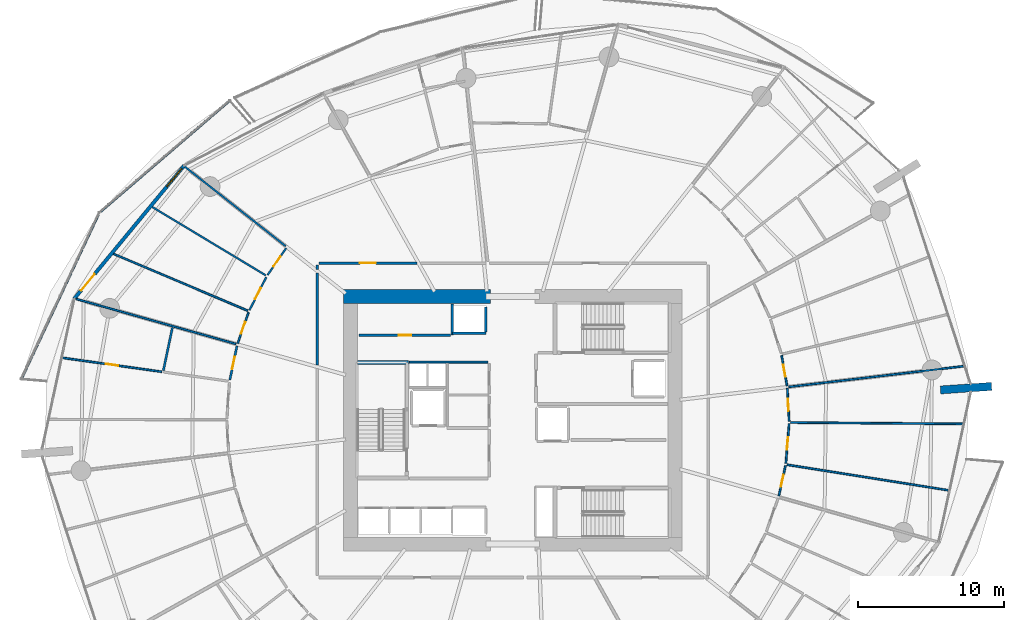
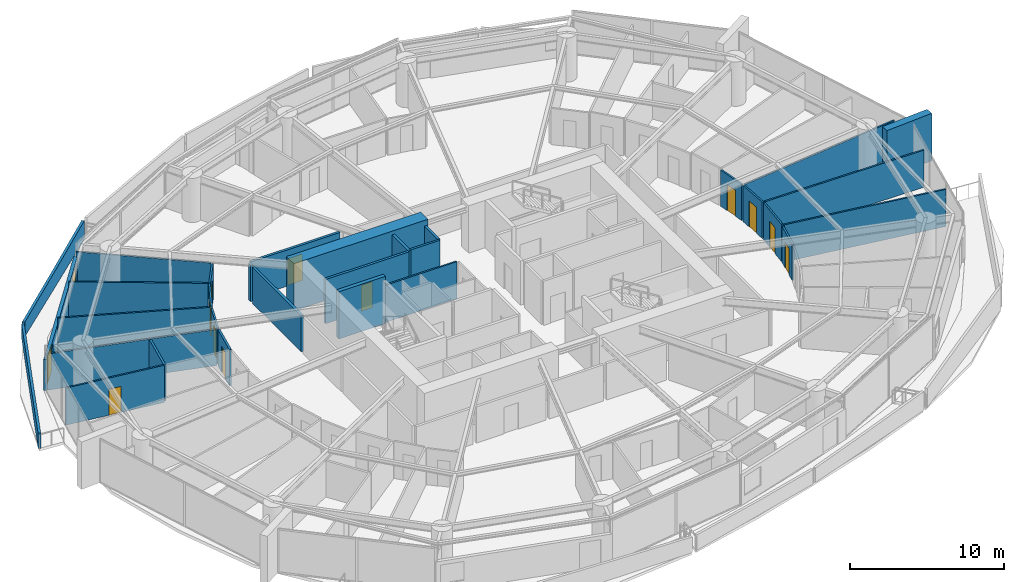
# One storey, part 22 of 31: 31 walls, 12 doors, 1 window, 13 openings.
"""IFC4 building model written with IfcOpenShell, lengths in metres."""

from ifc_helpers import new_model, si_unit, direction, frame, frame_2d, origin, place, context, subcontext, project, spatial, polyline, rectangle, outline, extrude, material, layer, layer_set, type_object, element, fill, save


model = new_model("IFC4")

# Units and contexts
model_context = context("Model", 3, precision=1e-05, world=origin(), true_north=direction((0.0, 1.0)))
body_context = subcontext(model_context, "Body", "Model", "MODEL_VIEW")
ifc_project = project(units=[si_unit("LENGTHUNIT", "METRE"), si_unit("AREAUNIT", "SQUARE_METRE"), si_unit("VOLUMEUNIT", "CUBIC_METRE"), si_unit("PLANEANGLEUNIT", "RADIAN"), si_unit("MASSUNIT", "GRAM", prefix="KILO")], contexts=[model_context])

# Site, building, storey
site_placement = place(None, origin())
site = spatial("IfcSite", under=ifc_project, at=site_placement, CompositionType="ELEMENT")
building_placement = place(site_placement, origin())
building = spatial("IfcBuilding", under=site, at=building_placement, Name="Kazma Halo Residences", CompositionType="ELEMENT")
storey_placement = place(building_placement, frame((0.0, 0.0, 60.14990234375)))
storey = spatial("IfcBuildingStorey", under=building, at=storey_placement, Name="L14", CompositionType="ELEMENT", Elevation=60.14990234375)

# Walls
ifc_material_1 = material(Name="White Concrete C50/60 Balustrade", Category="concrete")
ifc_layer_1 = layer(ifc_material_1, 0.179931640625)
ifc_layer_set_1 = layer_set([ifc_layer_1], Name="White Concrete C50/60 Balustrade")
wall_type_1 = type_object("IfcWallType", Name="WL-BAL-WAVE-180", PredefinedType="PARAPET", material=ifc_layer_set_1)
wall_1_placement = place(storey_placement, frame((29.07958984375, 63.881103515625, 0.0), z_axis=(0.0, 0.0, 1.0), x_axis=(-0.758371329303, -0.651822772609, 0.0)))
element("IfcWall", 1, at=wall_1_placement, inside=storey, type_object=wall_type_1, Name="L14 white wave balustrade wall NW.1", PredefinedType="PARAPET", context=body_context, shape_type="SweptSolid", body=[
    extrude(outline(polyline([(0.0, 0.0), (11.669921875, 0.0), (11.669677734375, 1.148193359375), (5.8349609375, 1.2841796875), (0.0, 1.483154296875), (0.0, 0.0)])), frame((0.0, 0.08984375, 0.0), z_axis=(0.0, -1.0, 0.0), x_axis=(1.0, 0.0, 0.0)), (0.0, 0.0, 1.0), 0.179931640625),
])
wall_2_placement = place(storey_placement, frame((20.087646484375, 56.08740234375, 0.0), z_axis=(0.0, 0.0, 1.0), x_axis=(-0.424187605295, -0.905574334615, 0.0)))
element("IfcWall", 2, at=wall_2_placement, inside=storey, type_object=wall_type_1, Name="L14 white wave balustrade wall NW.2", PredefinedType="PARAPET", context=body_context, shape_type="SweptSolid", body=[
    extrude(outline(polyline([(0.0, 0.0), (12.4462890625, 0.0), (12.4462890625, 1.22412109375), (6.22314453125, 1.127197265625), (0.0, 1.148193359375), (0.0, 0.0)])), frame((0.0, 0.08984375, 0.0), z_axis=(0.0, -1.0, 0.0), x_axis=(1.0, 0.0, 0.0)), (0.0, 0.0, 1.0), 0.179931640625),
])
ifc_material_2 = material(Name="Pale Concrete C60/75", Category="concrete")
ifc_layer_2 = layer(ifc_material_2, 0.550048828125)
ifc_layer_set_2 = layer_set([ifc_layer_2], Name="Pale Concrete C60/75")
wall_type_2 = type_object("IfcWallType", Name="WL-BLADE-550", PredefinedType="SOLIDWALL", material=ifc_layer_set_2)
wall_3_placement = place(storey_placement, frame((77.677978515625, 44.0751953125, 0.0), z_axis=(0.0, 0.0, 1.0), x_axis=(0.997564163539, 0.069754853754, 0.0)))
element("IfcWall", 3, at=wall_3_placement, inside=storey, type_object=wall_type_2, Name="L14 pale concrete structural blade fin wall BW-04", PredefinedType="SOLIDWALL", context=body_context, shape_type="SweptSolid", body=[
    extrude(rectangle(XDim=3.5, YDim=0.550048828125, at=frame_2d((1.75, 0.0))), origin(), (0.0, 0.0, 1.0), 3.75),
])
ifc_material_3 = material(Name="Concrete C80/95", Category="concrete")
ifc_layer_3 = layer(ifc_material_3, 0.949951171875)
ifc_layer_set_3 = layer_set([ifc_layer_3], Name="Concrete C80/95")
wall_type_3 = type_object("IfcWallType", Name="WL-CORE-950", PredefinedType="SHEAR", material=ifc_layer_set_3)
wall_4_placement = place(storey_placement, frame((36.85009765625, 50.47509765625, 0.0), z_axis=(0.0, 0.0, 1.0), x_axis=(1.0, 0.0, 0.0)))
element("IfcWall", 4, at=wall_4_placement, inside=storey, type_object=wall_type_3, Name="L14 central core shear wall NW", PredefinedType="SHEAR", context=body_context, shape_type="SweptSolid", body=[
    extrude(rectangle(XDim=10.0498046875, YDim=0.949951171875, at=frame_2d((5.02490234375, 0.0))), origin(), (0.0, 0.0, 1.0), 3.75),
])
ifc_material_4 = material(Name="Concrete C60/75", Category="concrete")
ifc_layer_4 = layer(ifc_material_4, 0.280029296875)
ifc_layer_set_4 = layer_set([ifc_layer_4], Name="Concrete C60/75")
wall_type_4 = type_object("IfcWallType", Name="WL-CORE-ST-280", PredefinedType="SHEAR", material=ifc_layer_set_4)
wall_5_placement = place(storey_placement, frame((37.800048828125, 45.93994140625, 0.0), z_axis=(0.0, 0.0, 1.0), x_axis=(1.0, 0.0, 0.0)))
element("IfcWall", 5, at=wall_5_placement, inside=storey, type_object=wall_type_4, Name="L14 stairwell bearing wall ST01-N", PredefinedType="SHEAR", context=body_context, shape_type="SweptSolid", body=[
    extrude(rectangle(XDim=3.5, YDim=0.280029296875, at=frame_2d((1.75, 0.0))), origin(), (0.0, 0.0, 1.0), 3.75),
])

# Wall, opening, door
ifc_material_5 = material(Name="Acoustic Twin-Stud Gypsum")
ifc_layer_5 = layer(ifc_material_5, 0.179931640625)
ifc_layer_set_5 = layer_set([ifc_layer_5], Name="Acoustic Twin-Stud Gypsum")
wall_type_5 = type_object("IfcWallType", Name="WL-DEM-180", PredefinedType="PARTITIONING", material=ifc_layer_set_5)
wall_6_placement = place(storey_placement, frame((41.859619140625, 52.75, 0.0), z_axis=(0.0, 0.0, 1.0), x_axis=(-1.0, 0.0, 0.0)))
wall_6 = element("IfcWall", 6, at=wall_6_placement, inside=storey, type_object=wall_type_5, Name="L14 Apartment 1 entrance corridor wall", PredefinedType="PARTITIONING", context=body_context, shape_type="SweptSolid", body=[
    extrude(rectangle(XDim=6.689697265625, YDim=0.179931640625, at=frame_2d((3.3447265625, 0.0))), origin(), (0.0, 0.0, 1.0), 2.8671875),
])
opening_1_placement = place(wall_6_placement, frame((2.794921875, 0.0, 0.0)))
opening_1 = element("IfcOpeningElement", 7, at=opening_1_placement, cuts=wall_6, Name="Opening DA-1100", PredefinedType="OPENING", context=body_context, shape_type="SweptSolid", body=[
    extrude(rectangle(XDim=1.10009765625, YDim=2.10009765625, at=frame_2d((0.550048828125, 1.050048828125))), frame((0.0, 0.099853515625, 0.0), z_axis=(0.0, -1.0, 0.0), x_axis=(1.0, 0.0, 0.0)), (0.0, 0.0, 1.0), 0.199951171875),
])
ifc_material_6 = material(Name="Acoustic Walnut Fire Leaf")
door_type_1 = type_object("IfcDoorType", Name="DR-FD60-1100", OperationType="NOTDEFINED", PredefinedType="DOOR", material=ifc_material_6)
door_1_placement = place(opening_1_placement, origin())
door_1 = element("IfcDoor", 8, at=door_1_placement, inside=storey, type_object=door_type_1, Name="L14 Apartment 1 entrance fire door", OperationType="SINGLE_SWING_RIGHT", OverallHeight=2.10009765625, OverallWidth=1.10009765625, PredefinedType="DOOR", context=body_context, shape_type="SweptSolid", body=[
    extrude(rectangle(XDim=1.10009765625, YDim=2.10009765625, at=frame_2d((0.550048828125, 1.050048828125))), frame((0.0, 0.02490234375, 0.0), z_axis=(0.0, -1.0, 0.0), x_axis=(1.0, 0.0, 0.0)), (0.0, 0.0, 1.0), 0.050048828125),
])
fill(opening_1, door_1)

# Walls
wall_7_placement = place(storey_placement, frame((35.050048828125, 52.6298828125, 0.0), z_axis=(0.0, 0.0, 1.0), x_axis=(0.0, -1.0, 0.0)))
element("IfcWall", 9, at=wall_7_placement, inside=storey, type_object=wall_type_5, Name="L14 Apartment 1 entrance corridor wall", PredefinedType="PARTITIONING", context=body_context, shape_type="SweptSolid", body=[
    extrude(rectangle(XDim=0.30078125, YDim=0.179931640625, at=frame_2d((0.150390625, 0.0))), origin(), (0.0, 0.0, 1.0), 2.8671875),
])
wall_8_placement = place(storey_placement, frame((35.050048828125, 52.089111328125, 0.0), z_axis=(0.0, 0.0, 1.0), x_axis=(0.0, -1.0, 0.0)))
element("IfcWall", 10, at=wall_8_placement, inside=storey, type_object=wall_type_5, Name="L14 Apartment 1 inner wall 5", PredefinedType="PARTITIONING", context=body_context, shape_type="SweptSolid", body=[
    extrude(rectangle(XDim=6.31689453125, YDim=0.179931640625, at=frame_2d((3.158447265625, 0.0))), origin(), (0.0, 0.0, 1.0), 2.8671875),
])

# Wall, openings, door, window
ifc_material_7 = material(Name="Insulated Pale-Metal Composite Wall")
ifc_layer_6 = layer(ifc_material_7, 0.239990234375)
ifc_layer_set_6 = layer_set([ifc_layer_6], Name="Insulated Pale-Metal Composite Wall")
wall_type_6 = type_object("IfcWallType", Name="WL-EXT-HOST-240", PredefinedType="SOLIDWALL", material=ifc_layer_set_6)
wall_9_placement = place(storey_placement, frame((25.966796875, 59.433349609375, 0.0), z_axis=(0.0, 0.0, 1.0), x_axis=(-0.636674332663, -0.771132799281, 0.0)))
wall_9 = element("IfcWall", 11, at=wall_9_placement, inside=storey, type_object=wall_type_6, Name="L14 exterior terrace-access wall B06", PredefinedType="SOLIDWALL", context=body_context, shape_type="SweptSolid", body=[
    extrude(rectangle(XDim=11.851318359375, YDim=0.239990234375, at=frame_2d((5.92578125, 0.0))), origin(), (0.0, 0.0, 1.0), 2.4501953125),
])
opening_2_placement = place(wall_9_placement, frame((9.631103515625, 0.0, 0.0)))
opening_2 = element("IfcOpeningElement", 12, at=opening_2_placement, cuts=wall_9, Name="Opening DTR-1600", PredefinedType="OPENING", context=body_context, shape_type="SweptSolid", body=[
    extrude(rectangle(XDim=1.449951171875, YDim=2.14990234375, at=frame_2d((0.72509765625, 1.074951171875))), frame((0.0, 0.1298828125, 0.0), z_axis=(0.0, -1.0, 0.0), x_axis=(1.0, 0.0, 0.0)), (0.0, 0.0, 1.0), 0.260009765625),
])
opening_3_placement = place(wall_9_placement, frame((0.280029296875, 0.0, 0.64990234375)))
opening_3 = element("IfcOpeningElement", 13, at=opening_3_placement, cuts=wall_9, Name="Opening W-1800", PredefinedType="OPENING", context=body_context, shape_type="SweptSolid", body=[
    extrude(rectangle(XDim=1.60009765625, YDim=1.5, at=frame_2d((0.800048828125, 0.75))), frame((0.0, 0.1298828125, 0.0), z_axis=(0.0, -1.0, 0.0), x_axis=(1.0, 0.0, 0.0)), (0.0, 0.0, 1.0), 0.260009765625),
])
ifc_material_8 = material(Name="Aluminium AW-6063 T6 Double-Glazed Terrace Door", Category="aluminium")
door_type_2 = type_object("IfcDoorType", Name="DR-EXT-TERR-1600", OperationType="NOTDEFINED", PredefinedType="DOOR", material=ifc_material_8)
door_2_placement = place(opening_2_placement, origin())
door_2 = element("IfcDoor", 14, at=door_2_placement, inside=storey, type_object=door_type_2, Name="L14 B06 balcony terrace door", OperationType="DOUBLE_DOOR_SLIDING", OverallHeight=2.14990234375, OverallWidth=1.449951171875, PredefinedType="DOOR", context=body_context, shape_type="SweptSolid", body=[
    extrude(rectangle(XDim=1.449951171875, YDim=2.14990234375, at=frame_2d((0.72509765625, 1.074951171875))), frame((0.0, 0.02490234375, 0.0), z_axis=(0.0, -1.0, 0.0), x_axis=(1.0, 0.0, 0.0)), (0.0, 0.0, 1.0), 0.050048828125),
])
fill(opening_2, door_2)
ifc_material_9 = material(Name="Clear Triple-Silver Low-E Glass in Aluminium AW-6063 T6 Frame", Category="aluminium")
window_type = type_object("IfcWindowType", Name="WIN-RES-1800", PartitioningType="DOUBLE_PANEL_VERTICAL", PredefinedType="WINDOW", material=ifc_material_9)
window_placement = place(opening_3_placement, origin())
window = element("IfcWindow", 15, at=window_placement, inside=storey, type_object=window_type, Name="L14 B06 apartment window", OverallHeight=1.5, OverallWidth=1.60009765625, PartitioningType="SINGLE_PANEL", PredefinedType="WINDOW", context=body_context, shape_type="SweptSolid", body=[
    extrude(rectangle(XDim=1.60009765625, YDim=1.5, at=frame_2d((0.800048828125, 0.75))), frame((0.0, 0.030029296875, 0.0), z_axis=(0.0, -1.0, 0.0), x_axis=(1.0, 0.0, 0.0)), (0.0, 0.0, 1.0), 0.06005859375),
])
fill(opening_3, window)

# Walls
ifc_material_10 = material(Name="Fire-Rated Blockwork Masonry", Category="masonry")
ifc_layer_7 = layer(ifc_material_10, 0.199951171875)
ifc_layer_set_7 = layer_set([ifc_layer_7], Name="Fire-Rated Blockwork Masonry")
wall_type_7 = type_object("IfcWallType", Name="WL-FLB-200", PredefinedType="PARTITIONING", material=ifc_layer_set_7)
wall_10_placement = place(storey_placement, frame((46.580078125, 47.945068359375, 0.0), z_axis=(0.0, 0.0, 1.0), x_axis=(-1.0, 0.0, 0.0)))
element("IfcWall", 16, at=wall_10_placement, inside=storey, type_object=wall_type_7, Name="L14 lift shaft PX-01 front wall", PredefinedType="PARTITIONING", context=body_context, shape_type="SweptSolid", body=[
    extrude(rectangle(XDim=2.260009765625, YDim=0.159912109375, at=frame_2d((1.1298828125, 0.0))), origin(), (0.0, 0.0, 1.0), 3.5),
])
wall_11_placement = place(storey_placement, frame((46.580078125, 48.044921875, 0.0), z_axis=(0.0, 0.0, 1.0), x_axis=(0.0, 1.0, 0.0)))
element("IfcWall", 17, at=wall_11_placement, inside=storey, type_object=wall_type_7, Name="L14 lift shaft PX-01 side wall E", PredefinedType="PARTITIONING", context=body_context, shape_type="SweptSolid", body=[
    extrude(rectangle(XDim=1.7099609375, YDim=0.159912109375, at=frame_2d((0.85498046875, 0.0))), origin(), (0.0, 0.0, 1.0), 3.5),
])

# Wall, opening, door
wall_12_placement = place(storey_placement, frame((37.919921875, 47.820068359375, 0.0), z_axis=(0.0, 0.0, 1.0), x_axis=(1.0, 0.0, 0.0)))
wall_12 = element("IfcWall", 18, at=wall_12_placement, inside=storey, type_object=wall_type_7, Name="L14 core north reserve wall", PredefinedType="PARTITIONING", context=body_context, shape_type="SweptSolid", body=[
    extrude(rectangle(XDim=6.260009765625, YDim=0.179931640625, at=frame_2d((3.1298828125, 0.0))), origin(), (0.0, 0.0, 1.0), 3.5),
])
opening_4_placement = place(wall_12_placement, frame((2.705078125, 0.0, 0.0)))
opening_4 = element("IfcOpeningElement", 19, at=opening_4_placement, cuts=wall_12, Name="Opening DS-850", PredefinedType="OPENING", context=body_context, shape_type="SweptSolid", body=[
    extrude(rectangle(XDim=0.85009765625, YDim=2.06005859375, at=frame_2d((0.425048828125, 1.030029296875))), frame((0.0, 0.099853515625, 0.0), z_axis=(0.0, -1.0, 0.0), x_axis=(1.0, 0.0, 0.0)), (0.0, 0.0, 1.0), 0.199951171875),
])
ifc_material_11 = material(Name="Painted Steel Access Leaf", Category="steel")
door_type_3 = type_object("IfcDoorType", Name="DR-SVC-850", OperationType="NOTDEFINED", PredefinedType="DOOR", material=ifc_material_11)
door_3_placement = place(opening_4_placement, origin())
door_3 = element("IfcDoor", 20, at=door_3_placement, inside=storey, type_object=door_type_3, Name="L14 core north reserve door", OperationType="SINGLE_SWING_RIGHT", OverallHeight=2.06005859375, OverallWidth=0.85009765625, PredefinedType="DOOR", context=body_context, shape_type="SweptSolid", body=[
    extrude(rectangle(XDim=0.85009765625, YDim=2.06005859375, at=frame_2d((0.425048828125, 1.030029296875))), frame((0.0, 0.02490234375, 0.0), z_axis=(0.0, -1.0, 0.0), x_axis=(1.0, 0.0, 0.0)), (0.0, 0.0, 1.0), 0.050048828125),
])
fill(opening_4, door_3)

# Walls
wall_13_placement = place(storey_placement, frame((44.280029296875, 47.820068359375, 0.0), z_axis=(0.0, 0.0, 1.0), x_axis=(0.0, 1.0, 0.0)))
element("IfcWall", 21, at=wall_13_placement, inside=storey, type_object=wall_type_7, Name="L14 PX-01 hoistway west wall", PredefinedType="PARTITIONING", context=body_context, shape_type="SweptSolid", body=[
    extrude(rectangle(XDim=2.1298828125, YDim=0.179931640625, at=frame_2d((1.06494140625, 0.0))), origin(), (0.0, 0.0, 1.0), 3.5),
])
ifc_material_12 = material(Name="Gypsum Plasterboard Partition")
ifc_layer_8 = layer(ifc_material_12, 0.125)
ifc_layer_set_8 = layer_set([ifc_layer_8], Name="Gypsum Plasterboard Partition")
wall_type_8 = type_object("IfcWallType", Name="WL-PART-125", PredefinedType="PARTITIONING", material=ifc_layer_set_8)
wall_14_placement = place(storey_placement, frame((41.360107421875, 45.97998046875, 0.0), z_axis=(0.0, 0.0, 1.0), x_axis=(1.0, 0.0, 0.0)))
element("IfcWall", 22, at=wall_14_placement, inside=storey, type_object=wall_type_8, Name="L14 core north riser wall", PredefinedType="PARTITIONING", context=body_context, shape_type="SweptSolid", body=[
    extrude(rectangle(XDim=5.35986328125, YDim=0.125, at=frame_2d((2.679931640625, 0.0))), origin(), (0.0, 0.0, 1.0), 2.940185546875),
])
wall_15_placement = place(storey_placement, frame((32.8984375, 53.9052734375, 0.0), z_axis=(0.0, 0.0, 1.0), x_axis=(-0.78532854108, 0.619079221558, 0.0)))
element("IfcWall", 23, at=wall_15_placement, inside=storey, type_object=wall_type_8, Name="L14 Apartment 1 radial partition 5", PredefinedType="PARTITIONING", context=body_context, shape_type="SweptSolid", body=[
    extrude(rectangle(XDim=8.842041015625, YDim=0.125, at=frame_2d((4.4208984375, 0.0))), origin(), (0.0, 0.0, 1.0), 2.8671875),
])
wall_16_placement = place(storey_placement, frame((31.533935546875, 51.913330078125, 0.0), z_axis=(0.0, 0.0, 1.0), x_axis=(-0.856706990958, 0.515803384676, 0.0)))
element("IfcWall", 24, at=wall_16_placement, inside=storey, type_object=wall_type_8, Name="L14 Apartment 1 bay wall 1 5", PredefinedType="PARTITIONING", context=body_context, shape_type="SweptSolid", body=[
    extrude(rectangle(XDim=9.056640625, YDim=0.125, at=frame_2d((4.5283203125, 0.0))), origin(), (0.0, 0.0, 1.0), 2.940185546875),
])
wall_17_placement = place(storey_placement, frame((30.30126953125, 49.494384765625, 0.0), z_axis=(0.0, 0.0, 1.0), x_axis=(-0.920840746031, 0.389938867579, 0.0)))
element("IfcWall", 25, at=wall_17_placement, inside=storey, type_object=wall_type_8, Name="L14 Apartment 1 bay wall 2 5", PredefinedType="PARTITIONING", context=body_context, shape_type="SweptSolid", body=[
    extrude(rectangle(XDim=9.965576171875, YDim=0.125, at=frame_2d((4.98291015625, 0.0))), origin(), (0.0, 0.0, 1.0), 2.940185546875),
])

# Wall, opening, door
wall_18_placement = place(storey_placement, frame((32.931396484375, 53.777587890625, 0.0), z_axis=(0.0, 0.0, 1.0), x_axis=(-0.568541738061, -0.822654418382, 0.0)))
wall_18 = element("IfcWall", 26, at=wall_18_placement, inside=storey, type_object=wall_type_8, Name="L14 Apartment 1 East Bedroom hall wall", PredefinedType="PARTITIONING", context=body_context, shape_type="SweptSolid", body=[
    extrude(rectangle(XDim=2.242431640625, YDim=0.125, at=frame_2d((1.12109375, 0.0))), origin(), (0.0, 0.0, 1.0), 2.8671875),
])
opening_5_placement = place(wall_18_placement, frame((0.6962890625, 0.0, 0.0)))
opening_5 = element("IfcOpeningElement", 27, at=opening_5_placement, cuts=wall_18, Name="Opening DB-900", PredefinedType="OPENING", context=body_context, shape_type="SweptSolid", body=[
    extrude(rectangle(XDim=0.85009765625, YDim=2.06005859375, at=frame_2d((0.425048828125, 1.030029296875))), frame((0.0, 0.072509765625, 0.0), z_axis=(0.0, -1.0, 0.0), x_axis=(1.0, 0.0, 0.0)), (0.0, 0.0, 1.0), 0.14501953125),
])
ifc_material_13 = material(Name="Moisture-Sealed Timber Leaf", Category="wood")
door_type_4 = type_object("IfcDoorType", Name="DR-BTH-900", OperationType="NOTDEFINED", PredefinedType="DOOR", material=ifc_material_13)
door_4_placement = place(opening_5_placement, origin())
door_4 = element("IfcDoor", 28, at=door_4_placement, inside=storey, type_object=door_type_4, Name="L14 Apartment 1 East Bedroom door", OperationType="SINGLE_SWING_LEFT", OverallHeight=2.06005859375, OverallWidth=0.85009765625, PredefinedType="DOOR", context=body_context, shape_type="SweptSolid", body=[
    extrude(rectangle(XDim=0.85009765625, YDim=2.06005859375, at=frame_2d((0.425048828125, 1.030029296875))), frame((0.0, 0.02490234375, 0.0), z_axis=(0.0, -1.0, 0.0), x_axis=(1.0, 0.0, 0.0)), (0.0, 0.0, 1.0), 0.050048828125),
])
fill(opening_5, door_4)

wall_19_placement = place(storey_placement, frame((31.57470703125, 51.795654296875, 0.0), z_axis=(0.0, 0.0, 1.0), x_axis=(-0.454037986735, -0.890982326762, 0.0)))
wall_19 = element("IfcWall", 29, at=wall_19_placement, inside=storey, type_object=wall_type_8, Name="L14 Apartment 1 West Study hall wall", PredefinedType="PARTITIONING", context=body_context, shape_type="SweptSolid", body=[
    extrude(rectangle(XDim=2.542236328125, YDim=0.125, at=frame_2d((1.27099609375, 0.0))), origin(), (0.0, 0.0, 1.0), 2.940185546875),
])
opening_6_placement = place(wall_19_placement, frame((0.84619140625, 0.0, 0.0)))
opening_6 = element("IfcOpeningElement", 30, at=opening_6_placement, cuts=wall_19, Name="Opening DB-900", PredefinedType="OPENING", context=body_context, shape_type="SweptSolid", body=[
    extrude(rectangle(XDim=0.85009765625, YDim=2.06005859375, at=frame_2d((0.425048828125, 1.030029296875))), frame((0.0, 0.072509765625, 0.0), z_axis=(0.0, -1.0, 0.0), x_axis=(1.0, 0.0, 0.0)), (0.0, 0.0, 1.0), 0.14501953125),
])
door_5_placement = place(opening_6_placement, origin())
door_5 = element("IfcDoor", 31, at=door_5_placement, inside=storey, type_object=door_type_4, Name="L14 Apartment 1 West Study door", OperationType="SINGLE_SWING_RIGHT", OverallHeight=2.06005859375, OverallWidth=0.85009765625, PredefinedType="DOOR", context=body_context, shape_type="SweptSolid", body=[
    extrude(rectangle(XDim=0.85009765625, YDim=2.06005859375, at=frame_2d((0.425048828125, 1.030029296875))), frame((0.0, 0.02490234375, 0.0), z_axis=(0.0, -1.0, 0.0), x_axis=(1.0, 0.0, 0.0)), (0.0, 0.0, 1.0), 0.050048828125),
])
fill(opening_6, door_5)

wall_20_placement = place(storey_placement, frame((30.357666015625, 49.3837890625, 0.0), z_axis=(0.0, 0.0, 1.0), x_axis=(-0.331344536708, -0.943509829304, 0.0)))
wall_20 = element("IfcWall", 32, at=wall_20_placement, inside=storey, type_object=wall_type_8, Name="L14 Apartment 1 North Bedroom hall wall", PredefinedType="PARTITIONING", context=body_context, shape_type="SweptSolid", body=[
    extrude(rectangle(XDim=2.2421875, YDim=0.125, at=frame_2d((1.12109375, 0.0))), origin(), (0.0, 0.0, 1.0), 2.8671875),
])
opening_7_placement = place(wall_20_placement, frame((0.696044921875, 0.0, 0.0)))
opening_7 = element("IfcOpeningElement", 33, at=opening_7_placement, cuts=wall_20, Name="Opening DB-900", PredefinedType="OPENING", context=body_context, shape_type="SweptSolid", body=[
    extrude(rectangle(XDim=0.85009765625, YDim=2.06005859375, at=frame_2d((0.425048828125, 1.030029296875))), frame((0.0, 0.072509765625, 0.0), z_axis=(0.0, -1.0, 0.0), x_axis=(1.0, 0.0, 0.0)), (0.0, 0.0, 1.0), 0.14501953125),
])
door_6_placement = place(opening_7_placement, origin())
door_6 = element("IfcDoor", 34, at=door_6_placement, inside=storey, type_object=door_type_4, Name="L14 Apartment 1 North Bedroom door", OperationType="SINGLE_SWING_LEFT", OverallHeight=2.06005859375, OverallWidth=0.85009765625, PredefinedType="DOOR", context=body_context, shape_type="SweptSolid", body=[
    extrude(rectangle(XDim=0.85009765625, YDim=2.06005859375, at=frame_2d((0.425048828125, 1.030029296875))), frame((0.0, 0.02490234375, 0.0), z_axis=(0.0, -1.0, 0.0), x_axis=(1.0, 0.0, 0.0)), (0.0, 0.0, 1.0), 0.050048828125),
])
fill(opening_7, door_6)

# Wall
wall_21_placement = place(storey_placement, frame((29.491943359375, 47.2197265625, 0.0), z_axis=(0.0, 0.0, 1.0), x_axis=(-0.962454721813, 0.271442274635, 0.0)))
element("IfcWall", 35, at=wall_21_placement, inside=storey, type_object=wall_type_8, Name="L14 Apartment 1 radial partition 6", PredefinedType="PARTITIONING", context=body_context, shape_type="SweptSolid", body=[
    extrude(rectangle(XDim=11.344482421875, YDim=0.125, at=frame_2d((5.67236328125, 0.0))), origin(), (0.0, 0.0, 1.0), 2.8671875),
])

# Wall, opening, door
wall_22_placement = place(storey_placement, frame((24.42236328125, 45.31787109375, 0.0), z_axis=(0.0, 0.0, 1.0), x_axis=(-0.990243959665, 0.139344538274, 0.0)))
wall_22 = element("IfcWall", 36, at=wall_22_placement, inside=storey, type_object=wall_type_8, Name="L14 Apartment 1 Inner Walk-In Wardrobe partition wall", PredefinedType="PARTITIONING", context=body_context, shape_type="SweptSolid", body=[
    extrude(rectangle(XDim=6.88037109375, YDim=0.125, at=frame_2d((3.440185546875, 0.0))), origin(), (0.0, 0.0, 1.0), 2.940185546875),
])
opening_8_placement = place(wall_22_placement, frame((3.01513671875, 0.0, 0.0)))
opening_8 = element("IfcOpeningElement", 37, at=opening_8_placement, cuts=wall_22, Name="Opening DB-900", PredefinedType="OPENING", context=body_context, shape_type="SweptSolid", body=[
    extrude(rectangle(XDim=0.85009765625, YDim=2.06005859375, at=frame_2d((0.425048828125, 1.030029296875))), frame((0.0, 0.072509765625, 0.0), z_axis=(0.0, -1.0, 0.0), x_axis=(1.0, 0.0, 0.0)), (0.0, 0.0, 1.0), 0.14501953125),
])
door_7_placement = place(opening_8_placement, origin())
door_7 = element("IfcDoor", 38, at=door_7_placement, inside=storey, type_object=door_type_4, Name="L14 Apartment 1 Inner Walk-In Wardrobe door", OperationType="SINGLE_SWING_RIGHT", OverallHeight=2.06005859375, OverallWidth=0.85009765625, PredefinedType="DOOR", context=body_context, shape_type="SweptSolid", body=[
    extrude(rectangle(XDim=0.85009765625, YDim=2.06005859375, at=frame_2d((0.425048828125, 1.030029296875))), frame((0.0, 0.02490234375, 0.0), z_axis=(0.0, -1.0, 0.0), x_axis=(1.0, 0.0, 0.0)), (0.0, 0.0, 1.0), 0.050048828125),
])
fill(opening_8, door_7)

# Walls
wall_23_placement = place(storey_placement, frame((67.183837890625, 38.961669921875, 0.0), z_axis=(0.0, 0.0, 1.0), x_axis=(0.987685842404, -0.156450237182, 0.0)))
element("IfcWall", 39, at=wall_23_placement, inside=storey, type_object=wall_type_8, Name="L14 Apartment 3 bay wall 1 14", PredefinedType="PARTITIONING", context=body_context, shape_type="SweptSolid", body=[
    extrude(rectangle(XDim=11.234130859375, YDim=0.125, at=frame_2d((5.6171875, 0.0))), origin(), (0.0, 0.0, 1.0), 2.940185546875),
])
wall_24_placement = place(storey_placement, frame((67.42236328125, 41.847412109375, 0.0), z_axis=(0.0, 0.0, 1.0), x_axis=(0.999969106173, -0.007860451618, 0.0)))
element("IfcWall", 40, at=wall_24_placement, inside=storey, type_object=wall_type_8, Name="L14 Apartment 3 bay wall 2 14", PredefinedType="PARTITIONING", context=body_context, shape_type="SweptSolid", body=[
    extrude(rectangle(XDim=11.83349609375, YDim=0.125, at=frame_2d((5.916748046875, 0.0))), origin(), (0.0, 0.0, 1.0), 2.940185546875),
])

# Wall, opening, door
wall_25_placement = place(storey_placement, frame((66.624267578125, 36.830322265625, 0.0), z_axis=(0.0, 0.0, 1.0), x_axis=(0.214316036982, 0.976764370917, 0.0)))
wall_25 = element("IfcWall", 41, at=wall_25_placement, inside=storey, type_object=wall_type_8, Name="L14 Apartment 3 Primary Bedroom hall wall", PredefinedType="PARTITIONING", context=body_context, shape_type="SweptSolid", body=[
    extrude(rectangle(XDim=2.116455078125, YDim=0.125, at=frame_2d((1.05810546875, 0.0))), origin(), (0.0, 0.0, 1.0), 2.8671875),
])
opening_9_placement = place(wall_25_placement, frame((0.63330078125, 0.0, 0.0)))
opening_9 = element("IfcOpeningElement", 42, at=opening_9_placement, cuts=wall_25, Name="Opening DB-900", PredefinedType="OPENING", context=body_context, shape_type="SweptSolid", body=[
    extrude(rectangle(XDim=0.85009765625, YDim=2.06005859375, at=frame_2d((0.425048828125, 1.030029296875))), frame((0.0, 0.072509765625, 0.0), z_axis=(0.0, -1.0, 0.0), x_axis=(1.0, 0.0, 0.0)), (0.0, 0.0, 1.0), 0.14501953125),
])
door_8_placement = place(opening_9_placement, origin())
door_8 = element("IfcDoor", 43, at=door_8_placement, inside=storey, type_object=door_type_4, Name="L14 Apartment 3 Primary Bedroom door", OperationType="SINGLE_SWING_RIGHT", OverallHeight=2.06005859375, OverallWidth=0.85009765625, PredefinedType="DOOR", context=body_context, shape_type="SweptSolid", body=[
    extrude(rectangle(XDim=0.85009765625, YDim=2.06005859375, at=frame_2d((0.425048828125, 1.030029296875))), frame((0.0, 0.02490234375, 0.0), z_axis=(0.0, -1.0, 0.0), x_axis=(1.0, 0.0, 0.0)), (0.0, 0.0, 1.0), 0.050048828125),
])
fill(opening_9, door_8)

wall_26_placement = place(storey_placement, frame((67.1015625, 39.055419921875, 0.0), z_axis=(0.0, 0.0, 1.0), x_axis=(0.082325550285, 0.996605490538, 0.0)))
wall_26 = element("IfcWall", 44, at=wall_26_placement, inside=storey, type_object=wall_type_8, Name="L14 Apartment 3 Secondary Dressing Wardrobe hall wall", PredefinedType="PARTITIONING", context=body_context, shape_type="SweptSolid", body=[
    extrude(rectangle(XDim=2.722412109375, YDim=0.125, at=frame_2d((1.361328125, 0.0))), origin(), (0.0, 0.0, 1.0), 2.940185546875),
])
opening_10_placement = place(wall_26_placement, frame((0.936279296875, 0.0, 0.0)))
opening_10 = element("IfcOpeningElement", 45, at=opening_10_placement, cuts=wall_26, Name="Opening DB-900", PredefinedType="OPENING", context=body_context, shape_type="SweptSolid", body=[
    extrude(rectangle(XDim=0.85009765625, YDim=2.06005859375, at=frame_2d((0.425048828125, 1.030029296875))), frame((0.0, 0.072509765625, 0.0), z_axis=(0.0, -1.0, 0.0), x_axis=(1.0, 0.0, 0.0)), (0.0, 0.0, 1.0), 0.14501953125),
])
door_9_placement = place(opening_10_placement, origin())
door_9 = element("IfcDoor", 46, at=door_9_placement, inside=storey, type_object=door_type_4, Name="L14 Apartment 3 Secondary Dressing Wardrobe door", OperationType="SINGLE_SWING_LEFT", OverallHeight=2.06005859375, OverallWidth=0.85009765625, PredefinedType="DOOR", context=body_context, shape_type="SweptSolid", body=[
    extrude(rectangle(XDim=0.85009765625, YDim=2.06005859375, at=frame_2d((0.425048828125, 1.030029296875))), frame((0.0, 0.02490234375, 0.0), z_axis=(0.0, -1.0, 0.0), x_axis=(1.0, 0.0, 0.0)), (0.0, 0.0, 1.0), 0.050048828125),
])
fill(opening_10, door_9)

wall_27_placement = place(storey_placement, frame((67.327880859375, 41.927978515625, 0.0), z_axis=(0.0, 0.0, 1.0), x_axis=(-0.054903584575, 0.998491660657, 0.0)))
wall_27 = element("IfcWall", 47, at=wall_27_placement, inside=storey, type_object=wall_type_8, Name="L14 Apartment 3 East Master Bedroom hall wall", PredefinedType="PARTITIONING", context=body_context, shape_type="SweptSolid", body=[
    extrude(rectangle(XDim=2.267822265625, YDim=0.125, at=frame_2d((1.1337890625, 0.0))), origin(), (0.0, 0.0, 1.0), 2.8671875),
])
opening_11_placement = place(wall_27_placement, frame((0.708984375, 0.0, 0.0)))
opening_11 = element("IfcOpeningElement", 48, at=opening_11_placement, cuts=wall_27, Name="Opening DB-900", PredefinedType="OPENING", context=body_context, shape_type="SweptSolid", body=[
    extrude(rectangle(XDim=0.85009765625, YDim=2.06005859375, at=frame_2d((0.425048828125, 1.030029296875))), frame((0.0, 0.072509765625, 0.0), z_axis=(0.0, -1.0, 0.0), x_axis=(1.0, 0.0, 0.0)), (0.0, 0.0, 1.0), 0.14501953125),
])
door_10_placement = place(opening_11_placement, origin())
door_10 = element("IfcDoor", 49, at=door_10_placement, inside=storey, type_object=door_type_4, Name="L14 Apartment 3 East Master Bedroom door", OperationType="SINGLE_SWING_RIGHT", OverallHeight=2.06005859375, OverallWidth=0.85009765625, PredefinedType="DOOR", context=body_context, shape_type="SweptSolid", body=[
    extrude(rectangle(XDim=0.85009765625, YDim=2.06005859375, at=frame_2d((0.425048828125, 1.030029296875))), frame((0.0, 0.02490234375, 0.0), z_axis=(0.0, -1.0, 0.0), x_axis=(1.0, 0.0, 0.0)), (0.0, 0.0, 1.0), 0.050048828125),
])
fill(opening_11, door_10)

# Wall
wall_28_placement = place(storey_placement, frame((67.29833984375, 44.2841796875, 0.0), z_axis=(0.0, 0.0, 1.0), x_axis=(0.993068589749, 0.117536275483, 0.0)))
element("IfcWall", 50, at=wall_28_placement, inside=storey, type_object=wall_type_8, Name="L14 Apartment 3 radial partition 15", PredefinedType="PARTITIONING", context=body_context, shape_type="SweptSolid", body=[
    extrude(rectangle(XDim=12.105712890625, YDim=0.125, at=frame_2d((6.052734375, 0.0))), origin(), (0.0, 0.0, 1.0), 2.8671875),
])

# Wall, opening, door
wall_29_placement = place(storey_placement, frame((67.184814453125, 44.351318359375, 0.0), z_axis=(0.0, 0.0, 1.0), x_axis=(-0.175726743029, 0.984438983271, 0.0)))
wall_29 = element("IfcWall", 51, at=wall_29_placement, inside=storey, type_object=wall_type_8, Name="L14 Apartment 3 West Bedroom hall wall", PredefinedType="PARTITIONING", context=body_context, shape_type="SweptSolid", body=[
    extrude(rectangle(XDim=2.115966796875, YDim=0.125, at=frame_2d((1.05810546875, 0.0))), origin(), (0.0, 0.0, 1.0), 2.8671875),
])
opening_12_placement = place(wall_29_placement, frame((0.633056640625, 0.0, 0.0)))
opening_12 = element("IfcOpeningElement", 52, at=opening_12_placement, cuts=wall_29, Name="Opening DB-900", PredefinedType="OPENING", context=body_context, shape_type="SweptSolid", body=[
    extrude(rectangle(XDim=0.85009765625, YDim=2.06005859375, at=frame_2d((0.425048828125, 1.030029296875))), frame((0.0, 0.072509765625, 0.0), z_axis=(0.0, -1.0, 0.0), x_axis=(1.0, 0.0, 0.0)), (0.0, 0.0, 1.0), 0.14501953125),
])
door_11_placement = place(opening_12_placement, origin())
door_11 = element("IfcDoor", 53, at=door_11_placement, inside=storey, type_object=door_type_4, Name="L14 Apartment 3 West Bedroom door", OperationType="SINGLE_SWING_LEFT", OverallHeight=2.06005859375, OverallWidth=0.85009765625, PredefinedType="DOOR", context=body_context, shape_type="SweptSolid", body=[
    extrude(rectangle(XDim=0.85009765625, YDim=2.06005859375, at=frame_2d((0.425048828125, 1.030029296875))), frame((0.0, 0.02490234375, 0.0), z_axis=(0.0, -1.0, 0.0), x_axis=(1.0, 0.0, 0.0)), (0.0, 0.0, 1.0), 0.050048828125),
])
fill(opening_12, door_11)

ifc_material_14 = material(Name="Moisture-Resistant Gypsum")
ifc_layer_9 = layer(ifc_material_14, 0.14990234375)
ifc_layer_set_9 = layer_set([ifc_layer_9], Name="Moisture-Resistant Gypsum")
wall_type_9 = type_object("IfcWallType", Name="WL-WET-150", PredefinedType="PARTITIONING", material=ifc_layer_set_9)
wall_30_placement = place(storey_placement, frame((29.567626953125, 47.0947265625, 0.0), z_axis=(0.0, 0.0, 1.0), x_axis=(-0.205861309483, -0.978581177654, 0.0)))
wall_30 = element("IfcWall", 54, at=wall_30_placement, inside=storey, type_object=wall_type_9, Name="L14 Apartment 1 South En-Suite Bathroom hall wall", PredefinedType="PARTITIONING", context=body_context, shape_type="SweptSolid", body=[
    extrude(rectangle(XDim=2.39208984375, YDim=0.14990234375, at=frame_2d((1.196044921875, 0.0))), origin(), (0.0, 0.0, 1.0), 2.8671875),
])
opening_13_placement = place(wall_30_placement, frame((0.77099609375, 0.0, 0.0)))
opening_13 = element("IfcOpeningElement", 55, at=opening_13_placement, cuts=wall_30, Name="Opening DB-900", PredefinedType="OPENING", context=body_context, shape_type="SweptSolid", body=[
    extrude(rectangle(XDim=0.85009765625, YDim=2.06005859375, at=frame_2d((0.425048828125, 1.030029296875))), frame((0.0, 0.0849609375, 0.0), z_axis=(0.0, -1.0, 0.0), x_axis=(1.0, 0.0, 0.0)), (0.0, 0.0, 1.0), 0.169921875),
])
door_12_placement = place(opening_13_placement, origin())
door_12 = element("IfcDoor", 56, at=door_12_placement, inside=storey, type_object=door_type_4, Name="L14 Apartment 1 South En-Suite Bathroom door", OperationType="SINGLE_SWING_LEFT", OverallHeight=2.06005859375, OverallWidth=0.85009765625, PredefinedType="DOOR", context=body_context, shape_type="SweptSolid", body=[
    extrude(rectangle(XDim=0.85009765625, YDim=2.06005859375, at=frame_2d((0.425048828125, 1.030029296875))), frame((0.0, 0.02490234375, 0.0), z_axis=(0.0, -1.0, 0.0), x_axis=(1.0, 0.0, 0.0)), (0.0, 0.0, 1.0), 0.050048828125),
])
fill(opening_13, door_12)

# Wall
wall_31_placement = place(storey_placement, frame((25.14990234375, 48.3408203125, 0.0), z_axis=(0.0, 0.0, 1.0), x_axis=(-0.205879759174, -0.978577296264, 0.0)))
element("IfcWall", 57, at=wall_31_placement, inside=storey, type_object=wall_type_9, Name="L14 Apartment 1 South En-Suite Bathroom back wall", PredefinedType="PARTITIONING", context=body_context, shape_type="SweptSolid", body=[
    extrude(rectangle(XDim=3.011962890625, YDim=0.14990234375, at=frame_2d((1.505859375, 0.0))), origin(), (0.0, 0.0, 1.0), 2.8671875),
])

save(model, "model.ifc")
